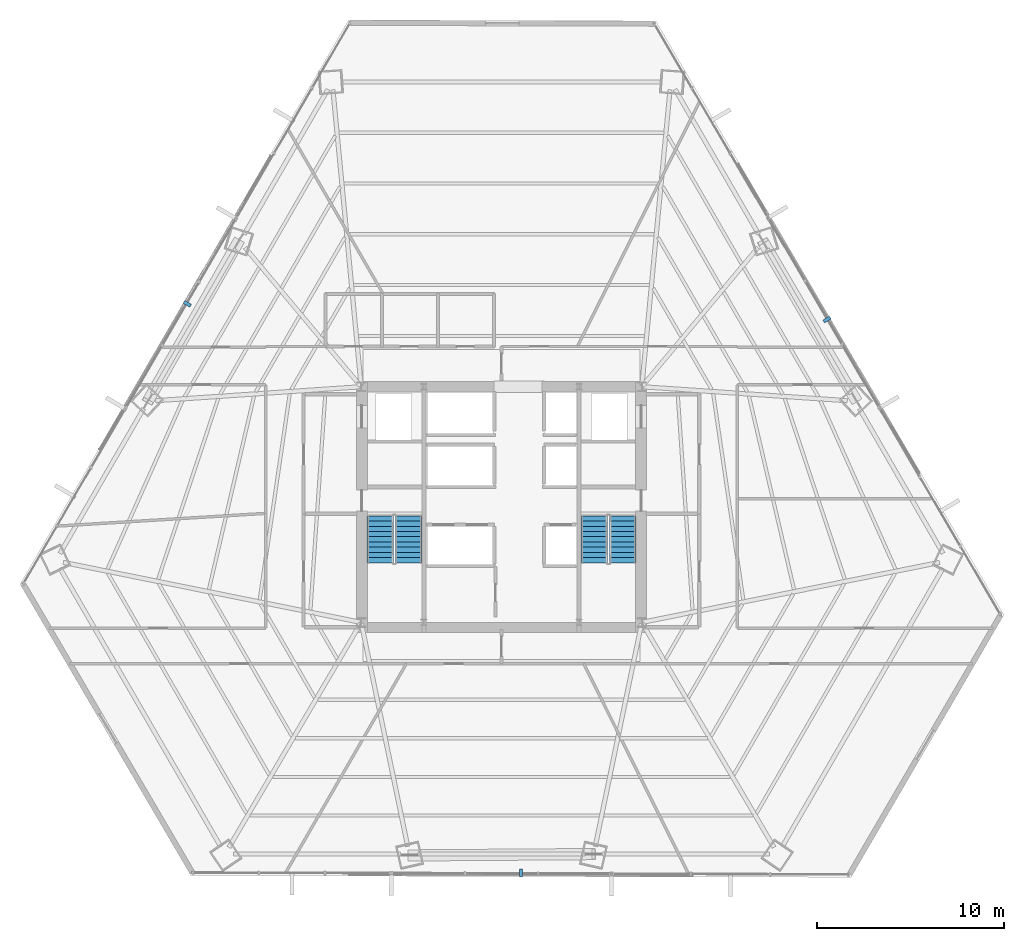
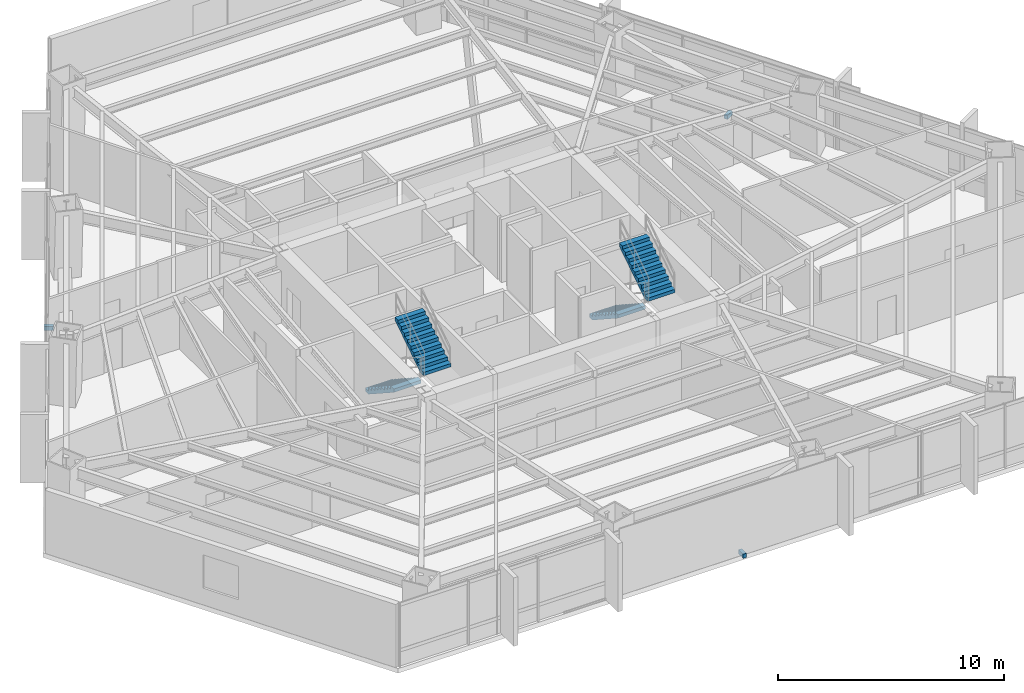
# One storey, part 30 of 33: 4 stair flights, 3 discrete accessories, 2 elements without a shape of their own.
"""IFC4 building model written with IfcOpenShell, lengths in metres."""

from ifc_helpers import new_model, si_unit, direction, frame, origin, origin_2d, place, context, subcontext, project, spatial, polyline, rectangle, outline, extrude, source, transform, mapped, material, type_object, type_shapes, element, aggregate, save


model = new_model("IFC4")

# Units and contexts
model_context = context("Model", 3, precision=1e-05, world=origin(), true_north=direction((0.0, 1.0)))
body_context = subcontext(model_context, "Body", "Model", "MODEL_VIEW")
ifc_project = project(units=[si_unit("LENGTHUNIT", "METRE"), si_unit("AREAUNIT", "SQUARE_METRE"), si_unit("VOLUMEUNIT", "CUBIC_METRE"), si_unit("PLANEANGLEUNIT", "RADIAN"), si_unit("MASSUNIT", "GRAM", prefix="KILO")], contexts=[model_context])

# Site, building, storey
site_placement = place(None, origin())
site = spatial("IfcSite", under=ifc_project, at=site_placement, CompositionType="ELEMENT")
building_placement = place(site_placement, origin())
building = spatial("IfcBuilding", under=site, at=building_placement, Name="Caelisora Broadcast Tower", CompositionType="ELEMENT")
storey_placement = place(building_placement, frame((0.0, 0.0, 34.89990234375)))
storey = spatial("IfcBuildingStorey", under=building, at=storey_placement, Name="L08", CompositionType="ELEMENT", Elevation=34.89990234375)

# Stair, stair flights
ifc_material_1 = material(Name="Concrete 40 MPa (AS 3600 N40)", Category="concrete")
stair_type_1 = type_object("IfcStairType", Name="ST-1", PredefinedType="HALF_TURN_STAIR", material=ifc_material_1)
stair_1_placement = place(storey_placement, origin())
stair_1 = element("IfcStair", 1, at=stair_1_placement, inside=storey, type_object=stair_type_1, Name="L08 West Fire-Isolated Tower Stair", PredefinedType="HALF_TURN_STAIR")
stair_flight_type = type_object("IfcStairFlightType", Name="STF-2", PredefinedType="STRAIGHT", material=ifc_material_1)
stair_flight_1_placement = place(storey_placement, frame((31.52001953125, 23.10009765625, 0.0), z_axis=(0.0, 0.0, 1.0), x_axis=(0.0, -1.0, 0.0)))
stair_flight_1 = element("IfcStairFlight", 2, at=stair_flight_1_placement, type_object=stair_flight_type, Name="ST-1 flight 1", NumberOfRisers=10, NumberOfTreads=9, PredefinedType="STRAIGHT", RiserHeight=0.1825, TreadLength=0.28, context=body_context, shape_type="SweptSolid", body=[
    extrude(outline(polyline([(0.0, 0.0), (0.0, 0.1826171875), (0.280029296875, 0.1826171875), (0.280029296875, 0.364990234375), (0.56005859375, 0.364990234375), (0.56005859375, 0.547607421875), (0.840087890625, 0.547607421875), (0.840087890625, 0.72998046875), (1.1201171875, 0.72998046875), (1.1201171875, 0.91259765625), (1.39990234375, 0.91259765625), (1.39990234375, 1.094970703125), (1.679931640625, 1.094970703125), (1.679931640625, 1.277587890625), (1.9599609375, 1.277587890625), (1.9599609375, 1.4599609375), (2.239990234375, 1.4599609375), (2.239990234375, 1.642578125), (2.52001953125, 1.642578125), (2.52001953125, 1.824951171875), (2.52001953125, 1.463623046875), (0.2744140625, 0.0), (0.0, 0.0)])), frame((0.0, 0.699951171875, 0.0), z_axis=(0.0, -1.0, 0.0), x_axis=(1.0, 0.0, 0.0)), (0.0, 0.0, 1.0), 1.39990234375),
])
stair_flight_2_placement = place(storey_placement, frame((33.0400390625, 20.580078125, 1.8251953125), z_axis=(0.0, 0.0, 1.0), x_axis=(0.0, 1.0, 0.0)))
stair_flight_2 = element("IfcStairFlight", 3, at=stair_flight_2_placement, type_object=stair_flight_type, Name="ST-1 flight 2", NumberOfRisers=10, NumberOfTreads=9, PredefinedType="STRAIGHT", RiserHeight=0.1825, TreadLength=0.28, context=body_context, shape_type="SweptSolid", body=[
    extrude(outline(polyline([(0.0, 0.0), (0.0, 0.1826171875), (0.280029296875, 0.1826171875), (0.280029296875, 0.364990234375), (0.56005859375, 0.364990234375), (0.56005859375, 0.547607421875), (0.840087890625, 0.547607421875), (0.840087890625, 0.72998046875), (1.1201171875, 0.72998046875), (1.1201171875, 0.91259765625), (1.39990234375, 0.91259765625), (1.39990234375, 1.094970703125), (1.679931640625, 1.094970703125), (1.679931640625, 1.277587890625), (1.9599609375, 1.277587890625), (1.9599609375, 1.4599609375), (2.239990234375, 1.4599609375), (2.239990234375, 1.642578125), (2.52001953125, 1.642578125), (2.52001953125, 1.824951171875), (2.52001953125, 1.463623046875), (0.2744140625, 0.0), (0.0, 0.0)])), frame((0.0, 0.699951171875, 0.0), z_axis=(0.0, -1.0, 0.0), x_axis=(1.0, 0.0, 0.0)), (0.0, 0.0, 1.0), 1.39990234375),
])
aggregate(stair_1, [stair_flight_1, stair_flight_2])

stair_type_2 = type_object("IfcStairType", Name="ST-2", PredefinedType="HALF_TURN_STAIR", material=ifc_material_1)
stair_2_placement = place(storey_placement, origin())
stair_2 = element("IfcStair", 4, at=stair_2_placement, inside=storey, type_object=stair_type_2, Name="L08 East Fire-Isolated Tower Stair", PredefinedType="HALF_TURN_STAIR")
stair_flight_3_placement = place(storey_placement, frame((42.9599609375, 23.10009765625, 0.0), z_axis=(0.0, 0.0, 1.0), x_axis=(0.0, -1.0, 0.0)))
stair_flight_3 = element("IfcStairFlight", 5, at=stair_flight_3_placement, type_object=stair_flight_type, Name="ST-2 flight 1", NumberOfRisers=10, NumberOfTreads=9, PredefinedType="STRAIGHT", RiserHeight=0.1825, TreadLength=0.28, context=body_context, shape_type="SweptSolid", body=[
    extrude(outline(polyline([(0.0, 0.0), (0.0, 0.1826171875), (0.280029296875, 0.1826171875), (0.280029296875, 0.364990234375), (0.56005859375, 0.364990234375), (0.56005859375, 0.547607421875), (0.840087890625, 0.547607421875), (0.840087890625, 0.72998046875), (1.1201171875, 0.72998046875), (1.1201171875, 0.91259765625), (1.39990234375, 0.91259765625), (1.39990234375, 1.094970703125), (1.679931640625, 1.094970703125), (1.679931640625, 1.277587890625), (1.9599609375, 1.277587890625), (1.9599609375, 1.4599609375), (2.239990234375, 1.4599609375), (2.239990234375, 1.642578125), (2.52001953125, 1.642578125), (2.52001953125, 1.824951171875), (2.52001953125, 1.463623046875), (0.2744140625, 0.0), (0.0, 0.0)])), frame((0.0, 0.699951171875, 0.0), z_axis=(0.0, -1.0, 0.0), x_axis=(1.0, 0.0, 0.0)), (0.0, 0.0, 1.0), 1.39990234375),
])
stair_flight_4_placement = place(storey_placement, frame((44.47998046875, 20.580078125, 1.8251953125), z_axis=(0.0, 0.0, 1.0), x_axis=(0.0, 1.0, 0.0)))
stair_flight_4 = element("IfcStairFlight", 6, at=stair_flight_4_placement, type_object=stair_flight_type, Name="ST-2 flight 2", NumberOfRisers=10, NumberOfTreads=9, PredefinedType="STRAIGHT", RiserHeight=0.1825, TreadLength=0.28, context=body_context, shape_type="SweptSolid", body=[
    extrude(outline(polyline([(0.0, 0.0), (0.0, 0.1826171875), (0.280029296875, 0.1826171875), (0.280029296875, 0.364990234375), (0.56005859375, 0.364990234375), (0.56005859375, 0.547607421875), (0.840087890625, 0.547607421875), (0.840087890625, 0.72998046875), (1.1201171875, 0.72998046875), (1.1201171875, 0.91259765625), (1.39990234375, 0.91259765625), (1.39990234375, 1.094970703125), (1.679931640625, 1.094970703125), (1.679931640625, 1.277587890625), (1.9599609375, 1.277587890625), (1.9599609375, 1.4599609375), (2.239990234375, 1.4599609375), (2.239990234375, 1.642578125), (2.52001953125, 1.642578125), (2.52001953125, 1.824951171875), (2.52001953125, 1.463623046875), (0.2744140625, 0.0), (0.0, 0.0)])), frame((0.0, 0.699951171875, 0.0), z_axis=(0.0, -1.0, 0.0), x_axis=(1.0, 0.0, 0.0)), (0.0, 0.0, 1.0), 1.39990234375),
])
aggregate(stair_2, [stair_flight_3, stair_flight_4])

# Discrete accessories
ifc_material_2 = material(Name="Steel Grade 350 (AS/NZS 3679.1)", Category="steel")
discrete_accessory_type = type_object("IfcDiscreteAccessoryType", Name="BRK-1", PredefinedType="BRACKET", material=ifc_material_2)
shared_shape = source(origin(), body_context, "Body", "SweptSolid", [
    extrude(rectangle(XDim=0.179931640625, YDim=0.419921875, at=origin_2d()), origin(), (0.0, 0.0, 1.0), 0.219970703125),
])
type_shapes(discrete_accessory_type, [shared_shape])
for number, where, z_axis, x_axis, name in (
    (7, (21.199951171875, 34.433837890625, -0.15966796875), (0.0, 0.0, 1.0), (-0.503321604797, -0.864099162217, 0.0), "L08 solar screen outrigger bracket #1"),
    (8, (39.041015625, 4.00048828125, -0.15966796875), (0.0, 0.0, 1.0), (0.9999961009, -0.002792523174, 0.0), "L08 solar screen outrigger bracket #2"),
    (9, (55.401611328125, 33.591064453125, -0.15966796875), (0.0, 0.0, 1.0), (-0.505582083675, 0.862778509623, 0.0), "L08 solar screen outrigger bracket #3"),
):
    element("IfcDiscreteAccessory", number, at=place(storey_placement, frame(where, z_axis=z_axis, x_axis=x_axis)), inside=storey, type_object=discrete_accessory_type, Name=name, PredefinedType="BRACKET", context=body_context, shape_type="MappedRepresentation", body=[
        mapped(shared_shape, transform((0.0, 0.0, 0.0), scale=1.0)),
    ])

save(model, "model.ifc")
